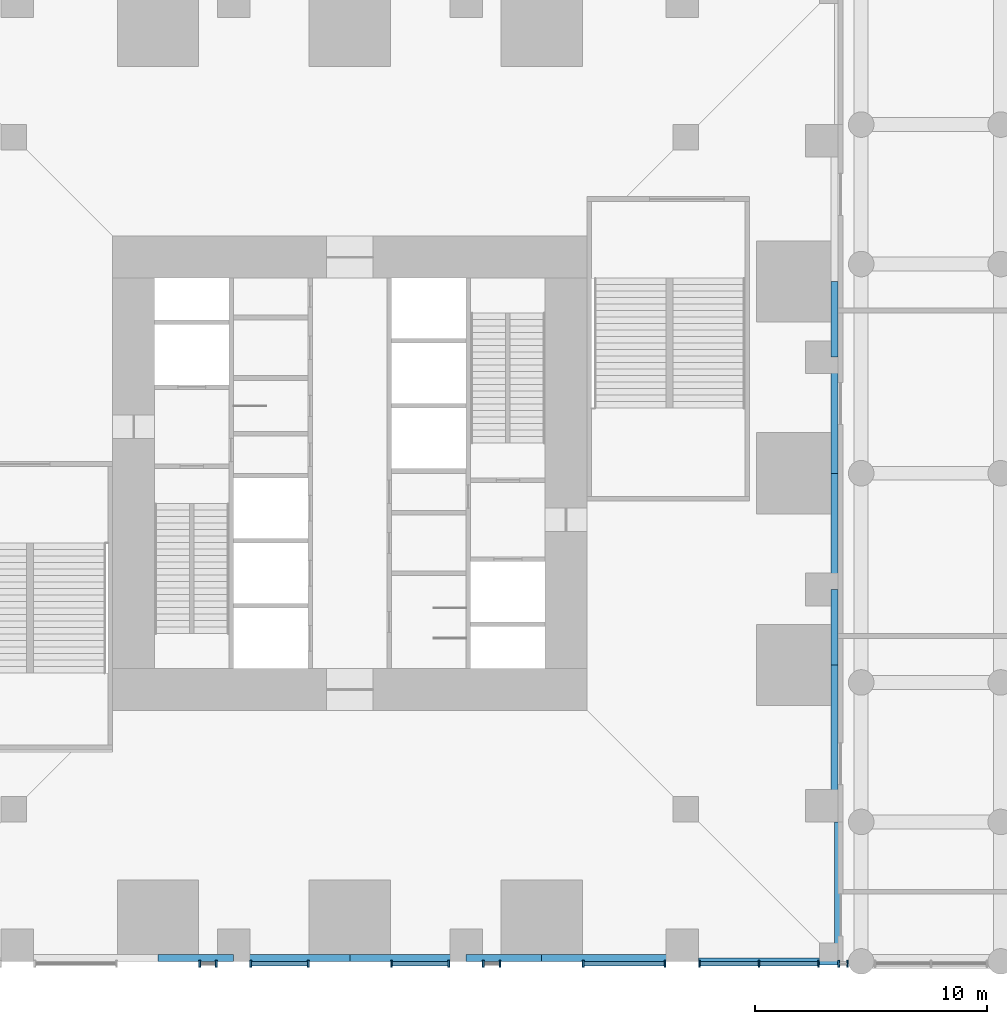
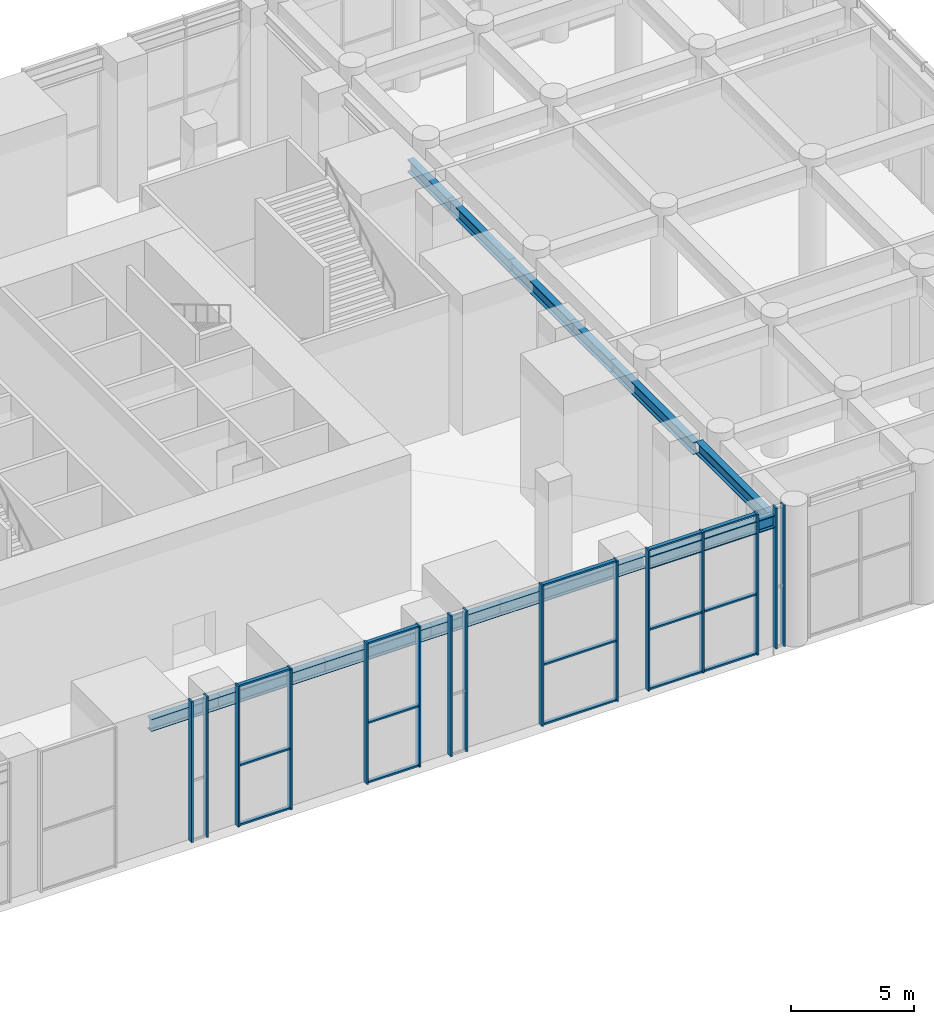
# One storey, part 8 of 30: 30 members, 12 beams, 7 elements without a shape of their own.
"""IFC4 building model written with IfcOpenShell, lengths in metres."""

from ifc_helpers import new_model, si_unit, direction, frame, origin, origin_2d, place, context, subcontext, project, spatial, rectangle, i_section, extrude, material, material_profile, profile_set, type_object, element, aggregate, save


model = new_model("IFC4")

# Units and contexts
model_context = context("Model", 3, precision=1e-05, world=origin(), true_north=direction((0.0, 1.0)))
body_context = subcontext(model_context, "Body", "Model", "MODEL_VIEW")
ifc_project = project(units=[si_unit("LENGTHUNIT", "METRE"), si_unit("AREAUNIT", "SQUARE_METRE"), si_unit("VOLUMEUNIT", "CUBIC_METRE"), si_unit("PLANEANGLEUNIT", "RADIAN"), si_unit("MASSUNIT", "GRAM", prefix="KILO")], contexts=[model_context])

# Site, building, storey
site_placement = place(None, origin())
site = spatial("IfcSite", under=ifc_project, at=site_placement, CompositionType="ELEMENT")
building_placement = place(site_placement, origin())
building = spatial("IfcBuilding", under=site, at=building_placement, Name="Svetlomir Tower", CompositionType="ELEMENT")
storey_placement = place(building_placement, frame((0.0, 0.0, 11.0)))
storey = spatial("IfcBuildingStorey", under=building, at=storey_placement, Name="L02", CompositionType="ELEMENT", Elevation=11.0)

# Curtain wall, members
ifc_material_1 = material(Name="Bronze anodised aluminium curtain wall", Category="aluminium")
curtain_wall_type = type_object("IfcCurtainWallType", Name="CURTAIN WALL CW5 PODIUM", PredefinedType="NOTDEFINED", material=ifc_material_1)
curtain_wall_1_placement = place(storey_placement, origin())
curtain_wall_1 = element("IfcCurtainWall", 1, at=curtain_wall_1_placement, inside=storey, type_object=curtain_wall_type, Name="Curtain wall CW5 L02", PredefinedType="NOTDEFINED")
ifc_material_2 = material(Name="Bronze anodised aluminium", Category="aluminium")
ifc_material_profile_1 = material_profile(ifc_material_2, rectangle(XDim=0.080078125, YDim=0.300048828125, at=origin_2d()), Name="AL 80x300")
ifc_profile_set_1 = profile_set([ifc_material_profile_1], Name="Bronze anodised aluminium 6063-T6")
member_type_1 = type_object("IfcMemberType", Name="CW5 MULLION 80x300", PredefinedType="MULLION", material=ifc_profile_set_1)
member_1_placement = place(storey_placement, frame((14.5400390625, -0.10009765625, 0.0), z_axis=(0.0, 0.0, 1.0), x_axis=(1.0, 0.0, 0.0)))
member_1 = element("IfcMember", 2, at=member_1_placement, type_object=member_type_1, Name="CW5 mullion 1", PredefinedType="MULLION", context=body_context, shape_type="SweptSolid", body=[
    extrude(rectangle(XDim=0.080078125, YDim=0.300048828125, at=origin_2d()), origin(), (0.0, 0.0, 1.0), 7.0),
])
member_2_placement = place(storey_placement, frame((15.260009765625, -0.10009765625, 0.0), z_axis=(0.0, 0.0, 1.0), x_axis=(1.0, 0.0, 0.0)))
member_2 = element("IfcMember", 3, at=member_2_placement, type_object=member_type_1, Name="CW5 mullion 2", PredefinedType="MULLION", context=body_context, shape_type="SweptSolid", body=[
    extrude(rectangle(XDim=0.080078125, YDim=0.300048828125, at=origin_2d()), origin(), (0.0, 0.0, 1.0), 7.0),
])
aggregate(curtain_wall_1, [member_1, member_2])

curtain_wall_2_placement = place(storey_placement, origin())
curtain_wall_2 = element("IfcCurtainWall", 4, at=curtain_wall_2_placement, inside=storey, type_object=curtain_wall_type, Name="Curtain wall CW5 L02", PredefinedType="NOTDEFINED")
member_3_placement = place(storey_placement, frame((16.739990234375, -0.10009765625, 0.0), z_axis=(0.0, 0.0, 1.0), x_axis=(1.0, 0.0, 0.0)))
member_3 = element("IfcMember", 5, at=member_3_placement, type_object=member_type_1, Name="CW5 mullion 1", PredefinedType="MULLION", context=body_context, shape_type="SweptSolid", body=[
    extrude(rectangle(XDim=0.080078125, YDim=0.300048828125, at=origin_2d()), origin(), (0.0, 0.0, 1.0), 7.0),
])
member_4_placement = place(storey_placement, frame((19.2099609375, -0.10009765625, 0.0), z_axis=(0.0, 0.0, 1.0), x_axis=(1.0, 0.0, 0.0)))
member_4 = element("IfcMember", 6, at=member_4_placement, type_object=member_type_1, Name="CW5 mullion 2", PredefinedType="MULLION", context=body_context, shape_type="SweptSolid", body=[
    extrude(rectangle(XDim=0.080078125, YDim=0.300048828125, at=origin_2d()), origin(), (0.0, 0.0, 1.0), 7.0),
])

curtain_wall_3_placement = place(storey_placement, origin())
curtain_wall_3 = element("IfcCurtainWall", 7, at=curtain_wall_3_placement, inside=storey, type_object=curtain_wall_type, Name="Curtain wall CW5 L02", PredefinedType="NOTDEFINED")
member_5_placement = place(storey_placement, frame((22.7900390625, -0.10009765625, 0.0), z_axis=(0.0, 0.0, 1.0), x_axis=(1.0, 0.0, 0.0)))
member_5 = element("IfcMember", 8, at=member_5_placement, type_object=member_type_1, Name="CW5 mullion 1", PredefinedType="MULLION", context=body_context, shape_type="SweptSolid", body=[
    extrude(rectangle(XDim=0.080078125, YDim=0.300048828125, at=origin_2d()), origin(), (0.0, 0.0, 1.0), 7.0),
])
member_6_placement = place(storey_placement, frame((25.260009765625, -0.10009765625, 0.0), z_axis=(0.0, 0.0, 1.0), x_axis=(1.0, 0.0, 0.0)))
member_6 = element("IfcMember", 9, at=member_6_placement, type_object=member_type_1, Name="CW5 mullion 2", PredefinedType="MULLION", context=body_context, shape_type="SweptSolid", body=[
    extrude(rectangle(XDim=0.080078125, YDim=0.300048828125, at=origin_2d()), origin(), (0.0, 0.0, 1.0), 7.0),
])

curtain_wall_4_placement = place(storey_placement, origin())
curtain_wall_4 = element("IfcCurtainWall", 10, at=curtain_wall_4_placement, inside=storey, type_object=curtain_wall_type, Name="Curtain wall CW5 L02", PredefinedType="NOTDEFINED")
member_7_placement = place(storey_placement, frame((26.739990234375, -0.10009765625, 0.0), z_axis=(0.0, 0.0, 1.0), x_axis=(1.0, 0.0, 0.0)))
member_7 = element("IfcMember", 11, at=member_7_placement, type_object=member_type_1, Name="CW5 mullion 1", PredefinedType="MULLION", context=body_context, shape_type="SweptSolid", body=[
    extrude(rectangle(XDim=0.080078125, YDim=0.300048828125, at=origin_2d()), origin(), (0.0, 0.0, 1.0), 7.0),
])
member_8_placement = place(storey_placement, frame((27.4599609375, -0.10009765625, 0.0), z_axis=(0.0, 0.0, 1.0), x_axis=(1.0, 0.0, 0.0)))
member_8 = element("IfcMember", 12, at=member_8_placement, type_object=member_type_1, Name="CW5 mullion 2", PredefinedType="MULLION", context=body_context, shape_type="SweptSolid", body=[
    extrude(rectangle(XDim=0.080078125, YDim=0.300048828125, at=origin_2d()), origin(), (0.0, 0.0, 1.0), 7.0),
])
aggregate(curtain_wall_4, [member_7, member_8])

curtain_wall_5_placement = place(storey_placement, origin())
curtain_wall_5 = element("IfcCurtainWall", 13, at=curtain_wall_5_placement, inside=storey, type_object=curtain_wall_type, Name="Curtain wall CW5 L02", PredefinedType="NOTDEFINED")
member_9_placement = place(storey_placement, frame((31.0400390625, -0.10009765625, 0.0), z_axis=(0.0, 0.0, 1.0), x_axis=(1.0, 0.0, 0.0)))
member_9 = element("IfcMember", 14, at=member_9_placement, type_object=member_type_1, Name="CW5 mullion 1", PredefinedType="MULLION", context=body_context, shape_type="SweptSolid", body=[
    extrude(rectangle(XDim=0.080078125, YDim=0.300048828125, at=origin_2d()), origin(), (0.0, 0.0, 1.0), 7.0),
])
member_10_placement = place(storey_placement, frame((34.56005859375, -0.10009765625, 0.0), z_axis=(0.0, 0.0, 1.0), x_axis=(1.0, 0.0, 0.0)))
member_10 = element("IfcMember", 15, at=member_10_placement, type_object=member_type_1, Name="CW5 mullion 2", PredefinedType="MULLION", context=body_context, shape_type="SweptSolid", body=[
    extrude(rectangle(XDim=0.080078125, YDim=0.300048828125, at=origin_2d()), origin(), (0.0, 0.0, 1.0), 7.0),
])

curtain_wall_6_placement = place(storey_placement, origin())
curtain_wall_6 = element("IfcCurtainWall", 16, at=curtain_wall_6_placement, inside=storey, type_object=curtain_wall_type, Name="Curtain wall CW5 L02", PredefinedType="NOTDEFINED")
member_11_placement = place(storey_placement, frame((36.0400390625, -0.10009765625, 0.0), z_axis=(0.0, 0.0, 1.0), x_axis=(1.0, 0.0, 0.0)))
member_11 = element("IfcMember", 17, at=member_11_placement, type_object=member_type_1, Name="CW5 mullion 1", PredefinedType="MULLION", context=body_context, shape_type="SweptSolid", body=[
    extrude(rectangle(XDim=0.080078125, YDim=0.300048828125, at=origin_2d()), origin(), (0.0, 0.0, 1.0), 7.0),
])
member_12_placement = place(storey_placement, frame((38.60009765625, -0.10009765625, 0.0), z_axis=(0.0, 0.0, 1.0), x_axis=(1.0, 0.0, 0.0)))
member_12 = element("IfcMember", 18, at=member_12_placement, type_object=member_type_1, Name="CW5 mullion 2", PredefinedType="MULLION", context=body_context, shape_type="SweptSolid", body=[
    extrude(rectangle(XDim=0.080078125, YDim=0.300048828125, at=origin_2d()), origin(), (0.0, 0.0, 1.0), 7.0),
])
member_13_placement = place(storey_placement, frame((41.159912109375, -0.10009765625, 0.0), z_axis=(0.0, 0.0, 1.0), x_axis=(1.0, 0.0, 0.0)))
member_13 = element("IfcMember", 19, at=member_13_placement, type_object=member_type_1, Name="CW5 mullion 3", PredefinedType="MULLION", context=body_context, shape_type="SweptSolid", body=[
    extrude(rectangle(XDim=0.080078125, YDim=0.300048828125, at=origin_2d()), origin(), (0.0, 0.0, 1.0), 7.0),
])

curtain_wall_7_placement = place(storey_placement, origin())
curtain_wall_7 = element("IfcCurtainWall", 20, at=curtain_wall_7_placement, inside=storey, type_object=curtain_wall_type, Name="Curtain wall CW5 L02", PredefinedType="NOTDEFINED")
member_14_placement = place(storey_placement, frame((42.0400390625, -0.10009765625, 0.0), z_axis=(0.0, 0.0, 1.0), x_axis=(1.0, 0.0, 0.0)))
member_14 = element("IfcMember", 21, at=member_14_placement, type_object=member_type_1, Name="CW5 mullion 1", PredefinedType="MULLION", context=body_context, shape_type="SweptSolid", body=[
    extrude(rectangle(XDim=0.080078125, YDim=0.300048828125, at=origin_2d()), origin(), (0.0, 0.0, 1.0), 7.0),
])
member_15_placement = place(storey_placement, frame((42.409912109375, -0.10009765625, 0.0), z_axis=(0.0, 0.0, 1.0), x_axis=(1.0, 0.0, 0.0)))
member_15 = element("IfcMember", 22, at=member_15_placement, type_object=member_type_1, Name="CW5 mullion 2", PredefinedType="MULLION", context=body_context, shape_type="SweptSolid", body=[
    extrude(rectangle(XDim=0.080078125, YDim=0.300048828125, at=origin_2d()), origin(), (0.0, 0.0, 1.0), 7.0),
])
aggregate(curtain_wall_7, [member_14, member_15])

# Member
ifc_material_3 = material(Name="Bronze anodised aluminium", Category="aluminium")
ifc_material_profile_2 = material_profile(ifc_material_3, rectangle(XDim=0.179931640625, YDim=0.080078125, at=origin_2d()), Name="AL 180x80")
ifc_profile_set_2 = profile_set([ifc_material_profile_2], Name="Bronze anodised aluminium 6063-T6")
member_type_2 = type_object("IfcMemberType", Name="CW5 TRANSOM 80x180", PredefinedType="USERDEFINED", material=ifc_profile_set_2)
member_16_placement = place(storey_placement, frame((16.780029296875, -0.10009765625, 0.0400390625), z_axis=(1.0, 0.0, 0.0), x_axis=(0.0, 1.0, 0.0)))
member_16 = element("IfcMember", 23, at=member_16_placement, type_object=member_type_2, Name="CW5 transom 1.1", ObjectType="TRANSOM", PredefinedType="USERDEFINED", context=body_context, shape_type="SweptSolid", body=[
    extrude(rectangle(XDim=0.179931640625, YDim=0.080078125, at=origin_2d()), origin(), (0.0, 0.0, 1.0), 2.389892578125),
])

member_17_placement = place(storey_placement, frame((16.780029296875, -0.10009765625, 3.0), z_axis=(1.0, 0.0, 0.0), x_axis=(0.0, 1.0, 0.0)))
member_17 = element("IfcMember", 24, at=member_17_placement, type_object=member_type_2, Name="CW5 transom 1.2", ObjectType="TRANSOM", PredefinedType="USERDEFINED", context=body_context, shape_type="SweptSolid", body=[
    extrude(rectangle(XDim=0.179931640625, YDim=0.080078125, at=origin_2d()), origin(), (0.0, 0.0, 1.0), 2.389892578125),
])

member_18_placement = place(storey_placement, frame((16.780029296875, -0.10009765625, 6.9599609375), z_axis=(1.0, 0.0, 0.0), x_axis=(0.0, 1.0, 0.0)))
member_18 = element("IfcMember", 25, at=member_18_placement, type_object=member_type_2, Name="CW5 transom 1.3", ObjectType="TRANSOM", PredefinedType="USERDEFINED", context=body_context, shape_type="SweptSolid", body=[
    extrude(rectangle(XDim=0.179931640625, YDim=0.080078125, at=origin_2d()), origin(), (0.0, 0.0, 1.0), 2.389892578125),
])

aggregate(curtain_wall_2, [member_3, member_4, member_16, member_17, member_18])

member_19_placement = place(storey_placement, frame((22.830078125, -0.10009765625, 0.0400390625), z_axis=(1.0, 0.0, 0.0), x_axis=(0.0, 1.0, 0.0)))
member_19 = element("IfcMember", 26, at=member_19_placement, type_object=member_type_2, Name="CW5 transom 1.1", ObjectType="TRANSOM", PredefinedType="USERDEFINED", context=body_context, shape_type="SweptSolid", body=[
    extrude(rectangle(XDim=0.179931640625, YDim=0.080078125, at=origin_2d()), origin(), (0.0, 0.0, 1.0), 2.389892578125),
])

member_20_placement = place(storey_placement, frame((22.830078125, -0.10009765625, 3.0), z_axis=(1.0, 0.0, 0.0), x_axis=(0.0, 1.0, 0.0)))
member_20 = element("IfcMember", 27, at=member_20_placement, type_object=member_type_2, Name="CW5 transom 1.2", ObjectType="TRANSOM", PredefinedType="USERDEFINED", context=body_context, shape_type="SweptSolid", body=[
    extrude(rectangle(XDim=0.179931640625, YDim=0.080078125, at=origin_2d()), origin(), (0.0, 0.0, 1.0), 2.389892578125),
])

member_21_placement = place(storey_placement, frame((22.830078125, -0.10009765625, 6.9599609375), z_axis=(1.0, 0.0, 0.0), x_axis=(0.0, 1.0, 0.0)))
member_21 = element("IfcMember", 28, at=member_21_placement, type_object=member_type_2, Name="CW5 transom 1.3", ObjectType="TRANSOM", PredefinedType="USERDEFINED", context=body_context, shape_type="SweptSolid", body=[
    extrude(rectangle(XDim=0.179931640625, YDim=0.080078125, at=origin_2d()), origin(), (0.0, 0.0, 1.0), 2.389892578125),
])

aggregate(curtain_wall_3, [member_5, member_6, member_19, member_20, member_21])

member_22_placement = place(storey_placement, frame((31.080078125, -0.10009765625, 0.0400390625), z_axis=(1.0, 0.0, 0.0), x_axis=(0.0, 1.0, 0.0)))
member_22 = element("IfcMember", 29, at=member_22_placement, type_object=member_type_2, Name="CW5 transom 1.1", ObjectType="TRANSOM", PredefinedType="USERDEFINED", context=body_context, shape_type="SweptSolid", body=[
    extrude(rectangle(XDim=0.179931640625, YDim=0.080078125, at=origin_2d()), origin(), (0.0, 0.0, 1.0), 3.43994140625),
])

member_23_placement = place(storey_placement, frame((31.080078125, -0.10009765625, 3.0), z_axis=(1.0, 0.0, 0.0), x_axis=(0.0, 1.0, 0.0)))
member_23 = element("IfcMember", 30, at=member_23_placement, type_object=member_type_2, Name="CW5 transom 1.2", ObjectType="TRANSOM", PredefinedType="USERDEFINED", context=body_context, shape_type="SweptSolid", body=[
    extrude(rectangle(XDim=0.179931640625, YDim=0.080078125, at=origin_2d()), origin(), (0.0, 0.0, 1.0), 3.43994140625),
])

member_24_placement = place(storey_placement, frame((31.080078125, -0.10009765625, 6.9599609375), z_axis=(1.0, 0.0, 0.0), x_axis=(0.0, 1.0, 0.0)))
member_24 = element("IfcMember", 31, at=member_24_placement, type_object=member_type_2, Name="CW5 transom 1.3", ObjectType="TRANSOM", PredefinedType="USERDEFINED", context=body_context, shape_type="SweptSolid", body=[
    extrude(rectangle(XDim=0.179931640625, YDim=0.080078125, at=origin_2d()), origin(), (0.0, 0.0, 1.0), 3.43994140625),
])

aggregate(curtain_wall_5, [member_9, member_10, member_22, member_23, member_24])

member_25_placement = place(storey_placement, frame((36.080078125, -0.10009765625, 0.0400390625), z_axis=(1.0, 0.0, 0.0), x_axis=(0.0, 1.0, 0.0)))
member_25 = element("IfcMember", 32, at=member_25_placement, type_object=member_type_2, Name="CW5 transom 1.1", ObjectType="TRANSOM", PredefinedType="USERDEFINED", context=body_context, shape_type="SweptSolid", body=[
    extrude(rectangle(XDim=0.179931640625, YDim=0.080078125, at=origin_2d()), origin(), (0.0, 0.0, 1.0), 2.47998046875),
])

member_26_placement = place(storey_placement, frame((36.080078125, -0.10009765625, 3.0), z_axis=(1.0, 0.0, 0.0), x_axis=(0.0, 1.0, 0.0)))
member_26 = element("IfcMember", 33, at=member_26_placement, type_object=member_type_2, Name="CW5 transom 1.2", ObjectType="TRANSOM", PredefinedType="USERDEFINED", context=body_context, shape_type="SweptSolid", body=[
    extrude(rectangle(XDim=0.179931640625, YDim=0.080078125, at=origin_2d()), origin(), (0.0, 0.0, 1.0), 2.47998046875),
])

member_27_placement = place(storey_placement, frame((36.080078125, -0.10009765625, 6.9599609375), z_axis=(1.0, 0.0, 0.0), x_axis=(0.0, 1.0, 0.0)))
member_27 = element("IfcMember", 34, at=member_27_placement, type_object=member_type_2, Name="CW5 transom 1.3", ObjectType="TRANSOM", PredefinedType="USERDEFINED", context=body_context, shape_type="SweptSolid", body=[
    extrude(rectangle(XDim=0.179931640625, YDim=0.080078125, at=origin_2d()), origin(), (0.0, 0.0, 1.0), 2.47998046875),
])

member_28_placement = place(storey_placement, frame((38.639892578125, -0.10009765625, 0.0400390625), z_axis=(1.0, 0.0, 0.0), x_axis=(0.0, 1.0, 0.0)))
member_28 = element("IfcMember", 35, at=member_28_placement, type_object=member_type_2, Name="CW5 transom 2.1", ObjectType="TRANSOM", PredefinedType="USERDEFINED", context=body_context, shape_type="SweptSolid", body=[
    extrude(rectangle(XDim=0.179931640625, YDim=0.080078125, at=origin_2d()), origin(), (0.0, 0.0, 1.0), 2.480224609375),
])

member_29_placement = place(storey_placement, frame((38.639892578125, -0.10009765625, 3.0), z_axis=(1.0, 0.0, 0.0), x_axis=(0.0, 1.0, 0.0)))
member_29 = element("IfcMember", 36, at=member_29_placement, type_object=member_type_2, Name="CW5 transom 2.2", ObjectType="TRANSOM", PredefinedType="USERDEFINED", context=body_context, shape_type="SweptSolid", body=[
    extrude(rectangle(XDim=0.179931640625, YDim=0.080078125, at=origin_2d()), origin(), (0.0, 0.0, 1.0), 2.480224609375),
])

member_30_placement = place(storey_placement, frame((38.639892578125, -0.10009765625, 6.9599609375), z_axis=(1.0, 0.0, 0.0), x_axis=(0.0, 1.0, 0.0)))
member_30 = element("IfcMember", 37, at=member_30_placement, type_object=member_type_2, Name="CW5 transom 2.3", ObjectType="TRANSOM", PredefinedType="USERDEFINED", context=body_context, shape_type="SweptSolid", body=[
    extrude(rectangle(XDim=0.179931640625, YDim=0.080078125, at=origin_2d()), origin(), (0.0, 0.0, 1.0), 2.480224609375),
])

aggregate(curtain_wall_6, [member_11, member_12, member_13, member_25, member_26, member_27, member_28, member_29, member_30])

# Beams
ifc_material_4 = material(Name="Steel S355", Category="steel")
ifc_material_profile_3 = material_profile(ifc_material_4, i_section(OverallWidth=0.304931640625, OverallDepth=0.6201171875, WebThickness=0.02099609375, FlangeThickness=0.0400390625, FilletRadius=0.027099609375, at=origin_2d()), Name="HEM 600")
ifc_profile_set_3 = profile_set([ifc_material_profile_3], Name="Steel S355")
beam_type = type_object("IfcBeamType", Name="PODIUM EDGE BEAM HEM 600", PredefinedType="BEAM", material=ifc_profile_set_3)
beam_1_placement = place(storey_placement, frame((12.75, 0.152587890625, 6.2900390625), z_axis=(1.0, 0.0, 0.0), x_axis=(0.0, 1.0, 0.0)))
element("IfcBeam", 38, at=beam_1_placement, inside=storey, type_object=beam_type, Name="Podium beam 11/0 to 16/0 under L03", PredefinedType="BEAM", context=body_context, shape_type="SweptSolid", body=[
    extrude(i_section(OverallWidth=0.304931640625, OverallDepth=0.6201171875, WebThickness=0.02099609375, FlangeThickness=0.0400390625, FilletRadius=0.027099609375, at=origin_2d()), origin(), (0.0, 0.0, 1.0), 3.25),
])
for number, where, z_axis, x_axis, name in (
    (39, (16.0, 0.152587890625, 6.2900390625), (1.0, 0.0, 0.0), (0.0, 1.0, 0.0), "Podium beam 16/0 to 21/0 under L03"),
    (40, (21.0, 0.152587890625, 6.2900390625), (1.0, 0.0, 0.0), (0.0, 1.0, 0.0), "Podium beam 21/0 to 26/0 under L03"),
):
    element("IfcBeam", number, at=place(storey_placement, frame(where, z_axis=z_axis, x_axis=x_axis)), inside=storey, type_object=beam_type, Name=name, PredefinedType="BEAM", context=body_context, shape_type="SweptSolid", body=[
        extrude(i_section(OverallWidth=0.304931640625, OverallDepth=0.6201171875, WebThickness=0.02099609375, FlangeThickness=0.0400390625, FilletRadius=0.027099609375, at=origin_2d()), origin(), (0.0, 0.0, 1.0), 5.0),
    ])
beam_2_placement = place(storey_placement, frame((26.0, 0.152587890625, 6.2900390625), z_axis=(1.0, 0.0, 0.0), x_axis=(0.0, 1.0, 0.0)))
element("IfcBeam", 41, at=beam_2_placement, inside=storey, type_object=beam_type, Name="Podium beam 26/0 to 31/0 under L03", PredefinedType="BEAM", context=body_context, shape_type="SweptSolid", body=[
    extrude(i_section(OverallWidth=0.304931640625, OverallDepth=0.6201171875, WebThickness=0.02099609375, FlangeThickness=0.0400390625, FilletRadius=0.027099609375, at=origin_2d()), origin(), (0.0, 0.0, 1.0), 3.25),
])
beam_3_placement = place(storey_placement, frame((29.25, 0.152587890625, 6.2900390625), z_axis=(1.0, 0.0, 0.0), x_axis=(0.0, 1.0, 0.0)))
element("IfcBeam", 42, at=beam_3_placement, inside=storey, type_object=beam_type, Name="Podium beam 31/0 to 36/0 under L03", PredefinedType="BEAM", context=body_context, shape_type="SweptSolid", body=[
    extrude(i_section(OverallWidth=0.304931640625, OverallDepth=0.6201171875, WebThickness=0.02099609375, FlangeThickness=0.0400390625, FilletRadius=0.027099609375, at=origin_2d()), origin(), (0.0, 0.0, 1.0), 6.75),
])
for number, where, z_axis, x_axis, name in (
    (43, (36.0, 0.0, 6.2900390625), (1.0, 0.0, 0.0), (0.0, 1.0, 0.0), "Podium beam 36/0 to 42/0 under L03"),
    (44, (42.0, 0.0, 6.2900390625), (0.0, 1.0, 0.0), (-1.0, 0.0, 0.0), "Podium beam 42/0 to 42/6 under L03"),
):
    element("IfcBeam", number, at=place(storey_placement, frame(where, z_axis=z_axis, x_axis=x_axis)), inside=storey, type_object=beam_type, Name=name, PredefinedType="BEAM", context=body_context, shape_type="SweptSolid", body=[
        extrude(i_section(OverallWidth=0.304931640625, OverallDepth=0.6201171875, WebThickness=0.02099609375, FlangeThickness=0.0400390625, FilletRadius=0.027099609375, at=origin_2d()), origin(), (0.0, 0.0, 1.0), 6.0),
    ])
beam_4_placement = place(storey_placement, frame((41.847412109375, 6.0, 6.2900390625), z_axis=(0.0, 1.0, 0.0), x_axis=(-1.0, 0.0, 0.0)))
element("IfcBeam", 45, at=beam_4_placement, inside=storey, type_object=beam_type, Name="Podium beam 42/6 to 42/11 under L03", PredefinedType="BEAM", context=body_context, shape_type="SweptSolid", body=[
    extrude(i_section(OverallWidth=0.304931640625, OverallDepth=0.6201171875, WebThickness=0.02099609375, FlangeThickness=0.0400390625, FilletRadius=0.027099609375, at=origin_2d()), origin(), (0.0, 0.0, 1.0), 6.75),
])
beam_5_placement = place(storey_placement, frame((41.847412109375, 12.75, 6.2900390625), z_axis=(0.0, 1.0, 0.0), x_axis=(-1.0, 0.0, 0.0)))
element("IfcBeam", 46, at=beam_5_placement, inside=storey, type_object=beam_type, Name="Podium beam 42/11 to 42/16 under L03", PredefinedType="BEAM", context=body_context, shape_type="SweptSolid", body=[
    extrude(i_section(OverallWidth=0.304931640625, OverallDepth=0.6201171875, WebThickness=0.02099609375, FlangeThickness=0.0400390625, FilletRadius=0.027099609375, at=origin_2d()), origin(), (0.0, 0.0, 1.0), 3.25),
])
for number, where, z_axis, x_axis, name in (
    (47, (41.847412109375, 16.0, 6.2900390625), (0.0, 1.0, 0.0), (-1.0, 0.0, 0.0), "Podium beam 42/16 to 42/21 under L03"),
    (48, (41.847412109375, 21.0, 6.2900390625), (0.0, 1.0, 0.0), (-1.0, 0.0, 0.0), "Podium beam 42/21 to 42/26 under L03"),
):
    element("IfcBeam", number, at=place(storey_placement, frame(where, z_axis=z_axis, x_axis=x_axis)), inside=storey, type_object=beam_type, Name=name, PredefinedType="BEAM", context=body_context, shape_type="SweptSolid", body=[
        extrude(i_section(OverallWidth=0.304931640625, OverallDepth=0.6201171875, WebThickness=0.02099609375, FlangeThickness=0.0400390625, FilletRadius=0.027099609375, at=origin_2d()), origin(), (0.0, 0.0, 1.0), 5.0),
    ])
beam_6_placement = place(storey_placement, frame((41.847412109375, 26.0, 6.2900390625), z_axis=(0.0, 1.0, 0.0), x_axis=(-1.0, 0.0, 0.0)))
element("IfcBeam", 49, at=beam_6_placement, inside=storey, type_object=beam_type, Name="Podium beam 42/26 to 42/31 under L03", PredefinedType="BEAM", context=body_context, shape_type="SweptSolid", body=[
    extrude(i_section(OverallWidth=0.304931640625, OverallDepth=0.6201171875, WebThickness=0.02099609375, FlangeThickness=0.0400390625, FilletRadius=0.027099609375, at=origin_2d()), origin(), (0.0, 0.0, 1.0), 3.25),
])

save(model, "model.ifc")
